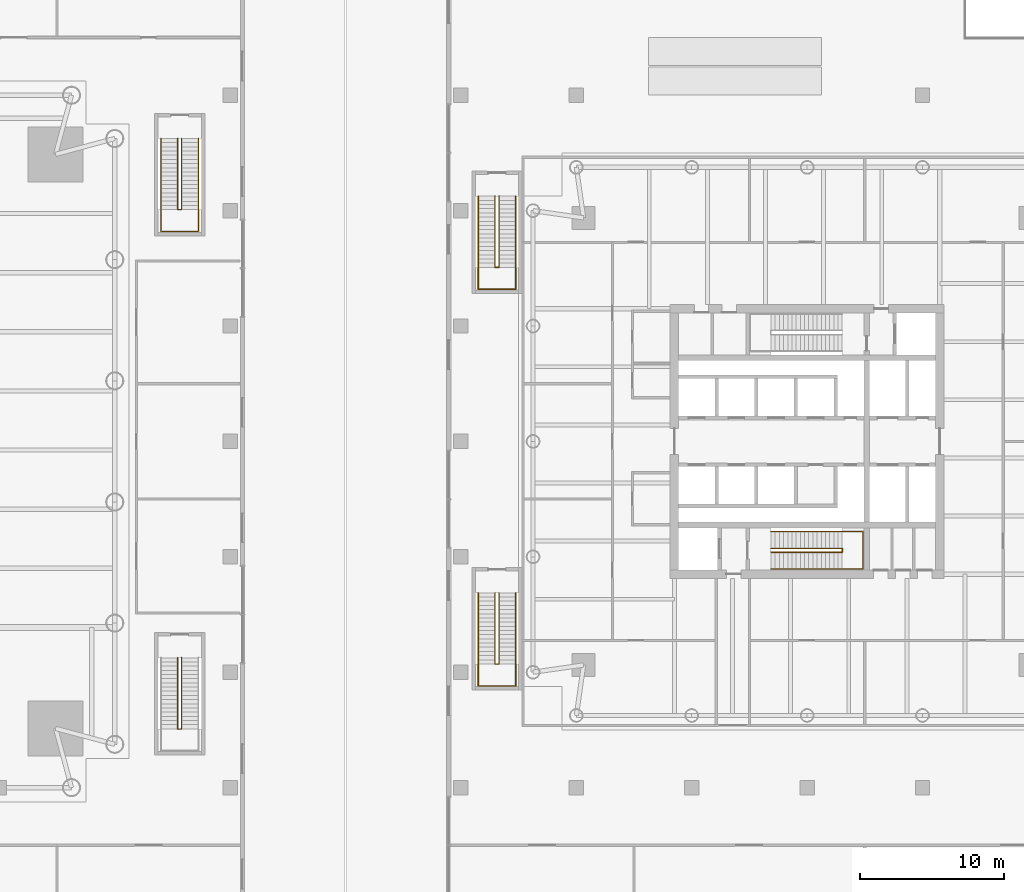
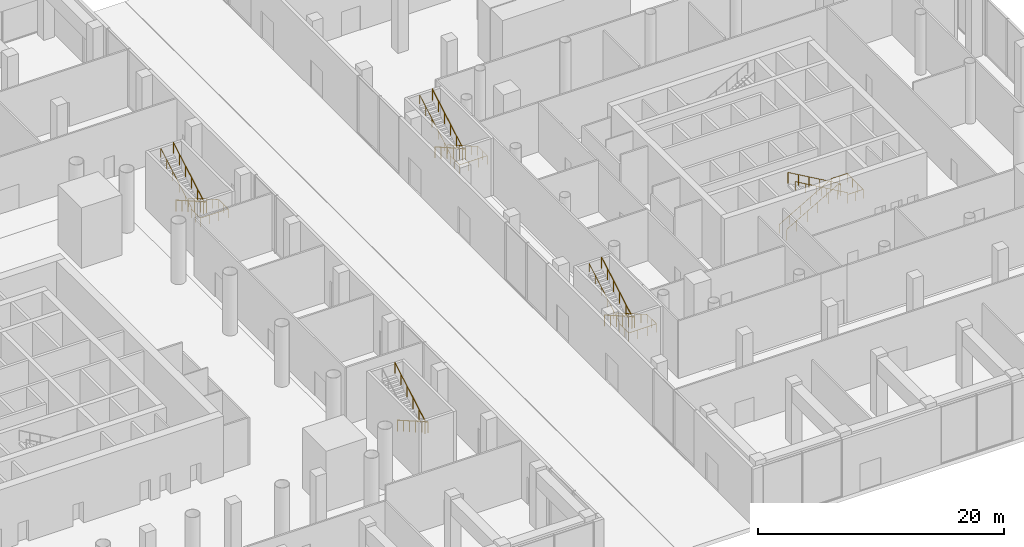
# One storey, part 37 of 39: 9 railings.
"""IFC4 building model written with IfcOpenShell, lengths in metres."""

from ifc_helpers import new_model, si_unit, direction, frame, origin, origin_2d, place, context, subcontext, project, spatial, circle, extrude, material, type_object, element, save


model = new_model("IFC4")

# Units and contexts
model_context = context("Model", 3, precision=1e-05, world=origin(), true_north=direction((0.0, 1.0)))
body_context = subcontext(model_context, "Body", "Model", "MODEL_VIEW")
ifc_project = project(units=[si_unit("LENGTHUNIT", "METRE"), si_unit("AREAUNIT", "SQUARE_METRE"), si_unit("VOLUMEUNIT", "CUBIC_METRE"), si_unit("PLANEANGLEUNIT", "RADIAN"), si_unit("MASSUNIT", "GRAM", prefix="KILO")], contexts=[model_context])

# Site, building, storey
site_placement = place(None, origin())
site = spatial("IfcSite", under=ifc_project, at=site_placement, CompositionType="ELEMENT")
building_placement = place(site_placement, origin())
building = spatial("IfcBuilding", under=site, at=building_placement, Name="Ostroluk Exchange", CompositionType="ELEMENT")
storey_placement = place(building_placement, origin())
storey = spatial("IfcBuildingStorey", under=building, at=storey_placement, Name="L00", CompositionType="ELEMENT", Elevation=0.0)

# Railings
ifc_material_1 = material(Name="Steel S355", Category="steel")
railing_type_1 = type_object("IfcRailingType", Name="Stair guard 1100", PredefinedType="GUARDRAIL", material=ifc_material_1)
railing_1_placement = place(storey_placement, frame((114.5, 38.580078125, 0.166748046875)))
element("IfcRailing", 1, at=railing_1_placement, inside=storey, type_object=railing_type_1, Name="Stair T2-S1 guard L00", PredefinedType="GUARDRAIL", context=body_context, shape_type="SweptSolid", body=[
    extrude(circle(Radius=0.02392578125, at=origin_2d()), frame((0.0, 0.0, 1.076171875), z_axis=(0.867017142139, 0.0, 0.498278311025), x_axis=(0.0, 1.0, 0.0)), (0.0, 0.0, 1.0), 5.68603515625),
    extrude(circle(Radius=0.02392578125, at=origin_2d()), frame((4.929931640625, 0.0, 3.9091796875), z_axis=(0.0, -1.0, 0.0), x_axis=(1.0, 0.0, 0.0)), (0.0, 0.0, 1.0), 0.260009765625),
    extrude(circle(Radius=0.02392578125, at=origin_2d()), frame((4.929931640625, -0.260009765625, 3.9091796875), z_axis=(0.0, 0.0, 1.0), x_axis=(1.0, 0.0, 0.0)), (0.0, 0.0, 1.0), 0.166748046875),
    extrude(circle(Radius=0.02392578125, at=origin_2d()), frame((4.929931640625, -0.260009765625, 4.076171875), z_axis=(-0.867017142139, 0.0, 0.498278311025), x_axis=(0.0, -1.0, 0.0)), (0.0, 0.0, 1.0), 5.68603515625),
    extrude(circle(Radius=0.02099609375, at=origin_2d()), origin(), (0.0, 0.0, 1.0), 1.052001953125),
    extrude(circle(Radius=0.02099609375, at=origin_2d()), frame((0.986083984375, 0.0, 0.566650390625)), (0.0, 0.0, 1.0), 1.052001953125),
    extrude(circle(Radius=0.02099609375, at=origin_2d()), frame((1.971923828125, 0.0, 1.13330078125)), (0.0, 0.0, 1.0), 1.052001953125),
    extrude(circle(Radius=0.02099609375, at=origin_2d()), frame((2.9580078125, 0.0, 1.699951171875)), (0.0, 0.0, 1.0), 1.052001953125),
    extrude(circle(Radius=0.02099609375, at=origin_2d()), frame((3.94384765625, 0.0, 2.2666015625)), (0.0, 0.0, 1.0), 1.052001953125),
    extrude(circle(Radius=0.02099609375, at=origin_2d()), frame((4.929931640625, 0.0, 2.833251953125)), (0.0, 0.0, 1.0), 1.052001953125),
    extrude(circle(Radius=0.02099609375, at=origin_2d()), frame((4.929931640625, -0.260009765625, 2.833251953125)), (0.0, 0.0, 1.0), 1.052001953125),
    extrude(circle(Radius=0.02099609375, at=origin_2d()), frame((4.929931640625, -0.260009765625, 3.0)), (0.0, 0.0, 1.0), 1.052001953125),
    extrude(circle(Radius=0.02099609375, at=origin_2d()), frame((3.94384765625, -0.260009765625, 3.566650390625)), (0.0, 0.0, 1.0), 1.052001953125),
    extrude(circle(Radius=0.02099609375, at=origin_2d()), frame((2.9580078125, -0.260009765625, 4.13330078125)), (0.0, 0.0, 1.0), 1.052001953125),
    extrude(circle(Radius=0.02099609375, at=origin_2d()), frame((1.971923828125, -0.260009765625, 4.699951171875)), (0.0, 0.0, 1.0), 1.052001953125),
    extrude(circle(Radius=0.02099609375, at=origin_2d()), frame((0.986083984375, -0.260009765625, 5.2666015625)), (0.0, 0.0, 1.0), 1.052001953125),
    extrude(circle(Radius=0.02099609375, at=origin_2d()), frame((0.0, -0.260009765625, 5.833251953125)), (0.0, 0.0, 1.0), 1.052001953125),
])
railing_2_placement = place(storey_placement, frame((73.6298828125, 31.0, 0.166748046875)))
element("IfcRailing", 2, at=railing_2_placement, inside=storey, type_object=railing_type_1, Name="Stair PS3 guard L00", PredefinedType="GUARDRAIL", context=body_context, shape_type="SweptSolid", body=[
    extrude(circle(Radius=0.02392578125, at=origin_2d()), frame((0.0, 0.0, 1.076171875), z_axis=(0.0, -0.867017142139, 0.498278311025), x_axis=(1.0, 0.0, 0.0)), (0.0, 0.0, 1.0), 5.68603515625),
    extrude(circle(Radius=0.02392578125, at=origin_2d()), frame((0.0, -4.929931640625, 3.9091796875), z_axis=(-1.0, 0.0, 0.0), x_axis=(0.0, -1.0, 0.0)), (0.0, 0.0, 1.0), 0.259765625),
    extrude(circle(Radius=0.02392578125, at=origin_2d()), frame((-0.259765625, -4.929931640625, 3.9091796875), z_axis=(0.0, 0.0, 1.0), x_axis=(1.0, 0.0, 0.0)), (0.0, 0.0, 1.0), 0.166748046875),
    extrude(circle(Radius=0.02392578125, at=origin_2d()), frame((-0.259765625, -4.929931640625, 4.076171875), z_axis=(0.0, 0.867017142139, 0.498278311025), x_axis=(-1.0, 0.0, 0.0)), (0.0, 0.0, 1.0), 5.68603515625),
    extrude(circle(Radius=0.02099609375, at=origin_2d()), origin(), (0.0, 0.0, 1.0), 1.052001953125),
    extrude(circle(Radius=0.02099609375, at=origin_2d()), frame((0.0, -0.986083984375, 0.566650390625)), (0.0, 0.0, 1.0), 1.052001953125),
    extrude(circle(Radius=0.02099609375, at=origin_2d()), frame((0.0, -1.971923828125, 1.13330078125)), (0.0, 0.0, 1.0), 1.052001953125),
    extrude(circle(Radius=0.02099609375, at=origin_2d()), frame((0.0, -2.9580078125, 1.699951171875)), (0.0, 0.0, 1.0), 1.052001953125),
    extrude(circle(Radius=0.02099609375, at=origin_2d()), frame((0.0, -3.94384765625, 2.2666015625)), (0.0, 0.0, 1.0), 1.052001953125),
    extrude(circle(Radius=0.02099609375, at=origin_2d()), frame((0.0, -4.929931640625, 2.833251953125)), (0.0, 0.0, 1.0), 1.052001953125),
    extrude(circle(Radius=0.02099609375, at=origin_2d()), frame((-0.259765625, -4.929931640625, 2.833251953125)), (0.0, 0.0, 1.0), 1.052001953125),
    extrude(circle(Radius=0.02099609375, at=origin_2d()), frame((-0.259765625, -4.929931640625, 3.0)), (0.0, 0.0, 1.0), 1.052001953125),
    extrude(circle(Radius=0.02099609375, at=origin_2d()), frame((-0.259765625, -3.94384765625, 3.566650390625)), (0.0, 0.0, 1.0), 1.052001953125),
    extrude(circle(Radius=0.02099609375, at=origin_2d()), frame((-0.259765625, -2.9580078125, 4.13330078125)), (0.0, 0.0, 1.0), 1.052001953125),
    extrude(circle(Radius=0.02099609375, at=origin_2d()), frame((-0.259765625, -1.971923828125, 4.699951171875)), (0.0, 0.0, 1.0), 1.052001953125),
    extrude(circle(Radius=0.02099609375, at=origin_2d()), frame((-0.259765625, -0.986083984375, 5.2666015625)), (0.0, 0.0, 1.0), 1.052001953125),
    extrude(circle(Radius=0.02099609375, at=origin_2d()), frame((-0.259765625, 0.0, 5.833251953125)), (0.0, 0.0, 1.0), 1.052001953125),
])
railing_3_placement = place(storey_placement, frame((73.6298828125, 67.0, 0.166748046875)))
element("IfcRailing", 3, at=railing_3_placement, inside=storey, type_object=railing_type_1, Name="Stair PS4 guard L00", PredefinedType="GUARDRAIL", context=body_context, shape_type="SweptSolid", body=[
    extrude(circle(Radius=0.02392578125, at=origin_2d()), frame((0.0, 0.0, 1.076171875), z_axis=(0.0, -0.867017142139, 0.498278311025), x_axis=(1.0, 0.0, 0.0)), (0.0, 0.0, 1.0), 5.68603515625),
    extrude(circle(Radius=0.02392578125, at=origin_2d()), frame((0.0, -4.929931640625, 3.9091796875), z_axis=(-1.0, 0.0, 0.0), x_axis=(0.0, -1.0, 0.0)), (0.0, 0.0, 1.0), 0.259765625),
    extrude(circle(Radius=0.02392578125, at=origin_2d()), frame((-0.259765625, -4.929931640625, 3.9091796875), z_axis=(0.0, 0.0, 1.0), x_axis=(1.0, 0.0, 0.0)), (0.0, 0.0, 1.0), 0.166748046875),
    extrude(circle(Radius=0.02392578125, at=origin_2d()), frame((-0.259765625, -4.929931640625, 4.076171875), z_axis=(0.0, 0.867017142139, 0.498278311025), x_axis=(-1.0, 0.0, 0.0)), (0.0, 0.0, 1.0), 5.68603515625),
    extrude(circle(Radius=0.02099609375, at=origin_2d()), origin(), (0.0, 0.0, 1.0), 1.052001953125),
    extrude(circle(Radius=0.02099609375, at=origin_2d()), frame((0.0, -0.986083984375, 0.566650390625)), (0.0, 0.0, 1.0), 1.052001953125),
    extrude(circle(Radius=0.02099609375, at=origin_2d()), frame((0.0, -1.971923828125, 1.13330078125)), (0.0, 0.0, 1.0), 1.052001953125),
    extrude(circle(Radius=0.02099609375, at=origin_2d()), frame((0.0, -2.9580078125, 1.699951171875)), (0.0, 0.0, 1.0), 1.052001953125),
    extrude(circle(Radius=0.02099609375, at=origin_2d()), frame((0.0, -3.94384765625, 2.2666015625)), (0.0, 0.0, 1.0), 1.052001953125),
    extrude(circle(Radius=0.02099609375, at=origin_2d()), frame((0.0, -4.929931640625, 2.833251953125)), (0.0, 0.0, 1.0), 1.052001953125),
    extrude(circle(Radius=0.02099609375, at=origin_2d()), frame((-0.259765625, -4.929931640625, 2.833251953125)), (0.0, 0.0, 1.0), 1.052001953125),
    extrude(circle(Radius=0.02099609375, at=origin_2d()), frame((-0.259765625, -4.929931640625, 3.0)), (0.0, 0.0, 1.0), 1.052001953125),
    extrude(circle(Radius=0.02099609375, at=origin_2d()), frame((-0.259765625, -3.94384765625, 3.566650390625)), (0.0, 0.0, 1.0), 1.052001953125),
    extrude(circle(Radius=0.02099609375, at=origin_2d()), frame((-0.259765625, -2.9580078125, 4.13330078125)), (0.0, 0.0, 1.0), 1.052001953125),
    extrude(circle(Radius=0.02099609375, at=origin_2d()), frame((-0.259765625, -1.971923828125, 4.699951171875)), (0.0, 0.0, 1.0), 1.052001953125),
    extrude(circle(Radius=0.02099609375, at=origin_2d()), frame((-0.259765625, -0.986083984375, 5.2666015625)), (0.0, 0.0, 1.0), 1.052001953125),
    extrude(circle(Radius=0.02099609375, at=origin_2d()), frame((-0.259765625, 0.0, 5.833251953125)), (0.0, 0.0, 1.0), 1.052001953125),
])
railing_4_placement = place(storey_placement, frame((95.6298828125, 35.5, 0.166748046875)))
element("IfcRailing", 4, at=railing_4_placement, inside=storey, type_object=railing_type_1, Name="Stair PS5 guard L00", PredefinedType="GUARDRAIL", context=body_context, shape_type="SweptSolid", body=[
    extrude(circle(Radius=0.02392578125, at=origin_2d()), frame((0.0, 0.0, 1.076171875), z_axis=(0.0, -0.867017142139, 0.498278311025), x_axis=(1.0, 0.0, 0.0)), (0.0, 0.0, 1.0), 5.68603515625),
    extrude(circle(Radius=0.02392578125, at=origin_2d()), frame((0.0, -4.929931640625, 3.9091796875), z_axis=(-1.0, 0.0, 0.0), x_axis=(0.0, -1.0, 0.0)), (0.0, 0.0, 1.0), 0.259765625),
    extrude(circle(Radius=0.02392578125, at=origin_2d()), frame((-0.259765625, -4.929931640625, 3.9091796875), z_axis=(0.0, 0.0, 1.0), x_axis=(1.0, 0.0, 0.0)), (0.0, 0.0, 1.0), 0.166748046875),
    extrude(circle(Radius=0.02392578125, at=origin_2d()), frame((-0.259765625, -4.929931640625, 4.076171875), z_axis=(0.0, 0.867017142139, 0.498278311025), x_axis=(-1.0, 0.0, 0.0)), (0.0, 0.0, 1.0), 5.68603515625),
    extrude(circle(Radius=0.02099609375, at=origin_2d()), origin(), (0.0, 0.0, 1.0), 1.052001953125),
    extrude(circle(Radius=0.02099609375, at=origin_2d()), frame((0.0, -0.986083984375, 0.566650390625)), (0.0, 0.0, 1.0), 1.052001953125),
    extrude(circle(Radius=0.02099609375, at=origin_2d()), frame((0.0, -1.971923828125, 1.13330078125)), (0.0, 0.0, 1.0), 1.052001953125),
    extrude(circle(Radius=0.02099609375, at=origin_2d()), frame((0.0, -2.9580078125, 1.699951171875)), (0.0, 0.0, 1.0), 1.052001953125),
    extrude(circle(Radius=0.02099609375, at=origin_2d()), frame((0.0, -3.94384765625, 2.2666015625)), (0.0, 0.0, 1.0), 1.052001953125),
    extrude(circle(Radius=0.02099609375, at=origin_2d()), frame((0.0, -4.929931640625, 2.833251953125)), (0.0, 0.0, 1.0), 1.052001953125),
    extrude(circle(Radius=0.02099609375, at=origin_2d()), frame((-0.259765625, -4.929931640625, 2.833251953125)), (0.0, 0.0, 1.0), 1.052001953125),
    extrude(circle(Radius=0.02099609375, at=origin_2d()), frame((-0.259765625, -4.929931640625, 3.0)), (0.0, 0.0, 1.0), 1.052001953125),
    extrude(circle(Radius=0.02099609375, at=origin_2d()), frame((-0.259765625, -3.94384765625, 3.566650390625)), (0.0, 0.0, 1.0), 1.052001953125),
    extrude(circle(Radius=0.02099609375, at=origin_2d()), frame((-0.259765625, -2.9580078125, 4.13330078125)), (0.0, 0.0, 1.0), 1.052001953125),
    extrude(circle(Radius=0.02099609375, at=origin_2d()), frame((-0.259765625, -1.971923828125, 4.699951171875)), (0.0, 0.0, 1.0), 1.052001953125),
    extrude(circle(Radius=0.02099609375, at=origin_2d()), frame((-0.259765625, -0.986083984375, 5.2666015625)), (0.0, 0.0, 1.0), 1.052001953125),
    extrude(circle(Radius=0.02099609375, at=origin_2d()), frame((-0.259765625, 0.0, 5.833251953125)), (0.0, 0.0, 1.0), 1.052001953125),
])
railing_5_placement = place(storey_placement, frame((95.6298828125, 63.0, 0.166748046875)))
element("IfcRailing", 5, at=railing_5_placement, inside=storey, type_object=railing_type_1, Name="Stair PS6 guard L00", PredefinedType="GUARDRAIL", context=body_context, shape_type="SweptSolid", body=[
    extrude(circle(Radius=0.02392578125, at=origin_2d()), frame((0.0, 0.0, 1.076171875), z_axis=(0.0, -0.867017142139, 0.498278311025), x_axis=(1.0, 0.0, 0.0)), (0.0, 0.0, 1.0), 5.68603515625),
    extrude(circle(Radius=0.02392578125, at=origin_2d()), frame((0.0, -4.929931640625, 3.9091796875), z_axis=(-1.0, 0.0, 0.0), x_axis=(0.0, -1.0, 0.0)), (0.0, 0.0, 1.0), 0.259765625),
    extrude(circle(Radius=0.02392578125, at=origin_2d()), frame((-0.259765625, -4.929931640625, 3.9091796875), z_axis=(0.0, 0.0, 1.0), x_axis=(1.0, 0.0, 0.0)), (0.0, 0.0, 1.0), 0.166748046875),
    extrude(circle(Radius=0.02392578125, at=origin_2d()), frame((-0.259765625, -4.929931640625, 4.076171875), z_axis=(0.0, 0.867017142139, 0.498278311025), x_axis=(-1.0, 0.0, 0.0)), (0.0, 0.0, 1.0), 5.68603515625),
    extrude(circle(Radius=0.02099609375, at=origin_2d()), origin(), (0.0, 0.0, 1.0), 1.052001953125),
    extrude(circle(Radius=0.02099609375, at=origin_2d()), frame((0.0, -0.986083984375, 0.566650390625)), (0.0, 0.0, 1.0), 1.052001953125),
    extrude(circle(Radius=0.02099609375, at=origin_2d()), frame((0.0, -1.971923828125, 1.13330078125)), (0.0, 0.0, 1.0), 1.052001953125),
    extrude(circle(Radius=0.02099609375, at=origin_2d()), frame((0.0, -2.9580078125, 1.699951171875)), (0.0, 0.0, 1.0), 1.052001953125),
    extrude(circle(Radius=0.02099609375, at=origin_2d()), frame((0.0, -3.94384765625, 2.2666015625)), (0.0, 0.0, 1.0), 1.052001953125),
    extrude(circle(Radius=0.02099609375, at=origin_2d()), frame((0.0, -4.929931640625, 2.833251953125)), (0.0, 0.0, 1.0), 1.052001953125),
    extrude(circle(Radius=0.02099609375, at=origin_2d()), frame((-0.259765625, -4.929931640625, 2.833251953125)), (0.0, 0.0, 1.0), 1.052001953125),
    extrude(circle(Radius=0.02099609375, at=origin_2d()), frame((-0.259765625, -4.929931640625, 3.0)), (0.0, 0.0, 1.0), 1.052001953125),
    extrude(circle(Radius=0.02099609375, at=origin_2d()), frame((-0.259765625, -3.94384765625, 3.566650390625)), (0.0, 0.0, 1.0), 1.052001953125),
    extrude(circle(Radius=0.02099609375, at=origin_2d()), frame((-0.259765625, -2.9580078125, 4.13330078125)), (0.0, 0.0, 1.0), 1.052001953125),
    extrude(circle(Radius=0.02099609375, at=origin_2d()), frame((-0.259765625, -1.971923828125, 4.699951171875)), (0.0, 0.0, 1.0), 1.052001953125),
    extrude(circle(Radius=0.02099609375, at=origin_2d()), frame((-0.259765625, -0.986083984375, 5.2666015625)), (0.0, 0.0, 1.0), 1.052001953125),
    extrude(circle(Radius=0.02099609375, at=origin_2d()), frame((-0.259765625, 0.0, 5.833251953125)), (0.0, 0.0, 1.0), 1.052001953125),
])
ifc_material_2 = material(Name="Stainless steel", Category="steel")
railing_type_2 = type_object("IfcRailingType", Name="Stair handrail 900", PredefinedType="HANDRAIL", material=ifc_material_2)
railing_6_placement = place(storey_placement, frame((114.5, 39.75, 0.166748046875)))
element("IfcRailing", 6, at=railing_6_placement, inside=storey, type_object=railing_type_2, Name="Stair T2-S1 handrail L00", PredefinedType="HANDRAIL", context=body_context, shape_type="SweptSolid", body=[
    extrude(circle(Radius=0.02392578125, at=origin_2d()), frame((0.0, 0.0, 0.8759765625), z_axis=(0.867017142139, 0.0, 0.498278311025), x_axis=(0.0, 1.0, 0.0)), (0.0, 0.0, 1.0), 5.68603515625),
    extrude(circle(Radius=0.02392578125, at=origin_2d()), frame((4.929931640625, 0.0, 3.708984375), z_axis=(1.0, 0.0, 0.0), x_axis=(0.0, 1.0, 0.0)), (0.0, 0.0, 1.0), 1.449951171875),
    extrude(circle(Radius=0.02392578125, at=origin_2d()), frame((6.3798828125, 0.0, 3.708984375), z_axis=(0.0, -1.0, 0.0), x_axis=(1.0, 0.0, 0.0)), (0.0, 0.0, 1.0), 2.60009765625),
    extrude(circle(Radius=0.02392578125, at=origin_2d()), frame((6.3798828125, -2.60009765625, 3.708984375), z_axis=(-1.0, 0.0, 0.0), x_axis=(0.0, -1.0, 0.0)), (0.0, 0.0, 1.0), 1.449951171875),
    extrude(circle(Radius=0.02392578125, at=origin_2d()), frame((4.929931640625, -2.60009765625, 3.708984375), z_axis=(0.0, 0.0, 1.0), x_axis=(1.0, 0.0, 0.0)), (0.0, 0.0, 1.0), 0.166748046875),
    extrude(circle(Radius=0.02392578125, at=origin_2d()), frame((4.929931640625, -2.60009765625, 3.8759765625), z_axis=(-0.867017142139, 0.0, 0.498278311025), x_axis=(0.0, -1.0, 0.0)), (0.0, 0.0, 1.0), 5.68603515625),
    extrude(circle(Radius=0.02099609375, at=origin_2d()), origin(), (0.0, 0.0, 1.0), 0.851806640625),
    extrude(circle(Radius=0.02099609375, at=origin_2d()), frame((0.986083984375, 0.0, 0.566650390625)), (0.0, 0.0, 1.0), 0.851806640625),
    extrude(circle(Radius=0.02099609375, at=origin_2d()), frame((1.971923828125, 0.0, 1.13330078125)), (0.0, 0.0, 1.0), 0.851806640625),
    extrude(circle(Radius=0.02099609375, at=origin_2d()), frame((2.9580078125, 0.0, 1.699951171875)), (0.0, 0.0, 1.0), 0.851806640625),
    extrude(circle(Radius=0.02099609375, at=origin_2d()), frame((3.94384765625, 0.0, 2.2666015625)), (0.0, 0.0, 1.0), 0.851806640625),
    extrude(circle(Radius=0.02099609375, at=origin_2d()), frame((4.929931640625, 0.0, 2.833251953125)), (0.0, 0.0, 1.0), 0.851806640625),
    extrude(circle(Radius=0.02099609375, at=origin_2d()), frame((5.65478515625, 0.0, 2.833251953125)), (0.0, 0.0, 1.0), 0.851806640625),
    extrude(circle(Radius=0.02099609375, at=origin_2d()), frame((6.3798828125, 0.0, 2.833251953125)), (0.0, 0.0, 1.0), 0.851806640625),
    extrude(circle(Radius=0.02099609375, at=origin_2d()), frame((6.3798828125, -0.86669921875, 2.833251953125)), (0.0, 0.0, 1.0), 0.851806640625),
    extrude(circle(Radius=0.02099609375, at=origin_2d()), frame((6.3798828125, -1.7333984375, 2.833251953125)), (0.0, 0.0, 1.0), 0.851806640625),
    extrude(circle(Radius=0.02099609375, at=origin_2d()), frame((6.3798828125, -2.60009765625, 2.833251953125)), (0.0, 0.0, 1.0), 0.851806640625),
    extrude(circle(Radius=0.02099609375, at=origin_2d()), frame((5.65478515625, -2.60009765625, 2.833251953125)), (0.0, 0.0, 1.0), 0.851806640625),
    extrude(circle(Radius=0.02099609375, at=origin_2d()), frame((4.929931640625, -2.60009765625, 2.833251953125)), (0.0, 0.0, 1.0), 0.851806640625),
    extrude(circle(Radius=0.02099609375, at=origin_2d()), frame((4.929931640625, -2.60009765625, 3.0)), (0.0, 0.0, 1.0), 0.851806640625),
    extrude(circle(Radius=0.02099609375, at=origin_2d()), frame((3.94384765625, -2.60009765625, 3.566650390625)), (0.0, 0.0, 1.0), 0.851806640625),
    extrude(circle(Radius=0.02099609375, at=origin_2d()), frame((2.9580078125, -2.60009765625, 4.13330078125)), (0.0, 0.0, 1.0), 0.851806640625),
    extrude(circle(Radius=0.02099609375, at=origin_2d()), frame((1.971923828125, -2.60009765625, 4.699951171875)), (0.0, 0.0, 1.0), 0.851806640625),
    extrude(circle(Radius=0.02099609375, at=origin_2d()), frame((0.986083984375, -2.60009765625, 5.2666015625)), (0.0, 0.0, 1.0), 0.851806640625),
    extrude(circle(Radius=0.02099609375, at=origin_2d()), frame((0.0, -2.60009765625, 5.833251953125)), (0.0, 0.0, 1.0), 0.851806640625),
])
railing_7_placement = place(storey_placement, frame((74.800048828125, 67.0, 0.166748046875)))
element("IfcRailing", 7, at=railing_7_placement, inside=storey, type_object=railing_type_2, Name="Stair PS4 handrail L00", PredefinedType="HANDRAIL", context=body_context, shape_type="SweptSolid", body=[
    extrude(circle(Radius=0.02392578125, at=origin_2d()), frame((0.0, 0.0, 0.8759765625), z_axis=(0.0, -0.867017142139, 0.498278311025), x_axis=(1.0, 0.0, 0.0)), (0.0, 0.0, 1.0), 5.68603515625),
    extrude(circle(Radius=0.02392578125, at=origin_2d()), frame((0.0, -4.929931640625, 3.708984375), z_axis=(0.0, -1.0, 0.0), x_axis=(1.0, 0.0, 0.0)), (0.0, 0.0, 1.0), 1.52001953125),
    extrude(circle(Radius=0.02392578125, at=origin_2d()), frame((0.0, -6.449951171875, 3.708984375), z_axis=(-1.0, 0.0, 0.0), x_axis=(0.0, -1.0, 0.0)), (0.0, 0.0, 1.0), 2.60009765625),
    extrude(circle(Radius=0.02392578125, at=origin_2d()), frame((-2.60009765625, -6.449951171875, 3.708984375), z_axis=(0.0, 1.0, 0.0), x_axis=(-1.0, 0.0, 0.0)), (0.0, 0.0, 1.0), 1.52001953125),
    extrude(circle(Radius=0.02392578125, at=origin_2d()), frame((-2.60009765625, -4.929931640625, 3.708984375), z_axis=(0.0, 0.0, 1.0), x_axis=(1.0, 0.0, 0.0)), (0.0, 0.0, 1.0), 0.166748046875),
    extrude(circle(Radius=0.02392578125, at=origin_2d()), frame((-2.60009765625, -4.929931640625, 3.8759765625), z_axis=(0.0, 0.867017142139, 0.498278311025), x_axis=(-1.0, 0.0, 0.0)), (0.0, 0.0, 1.0), 5.68603515625),
    extrude(circle(Radius=0.02099609375, at=origin_2d()), origin(), (0.0, 0.0, 1.0), 0.851806640625),
    extrude(circle(Radius=0.02099609375, at=origin_2d()), frame((0.0, -0.986083984375, 0.566650390625)), (0.0, 0.0, 1.0), 0.851806640625),
    extrude(circle(Radius=0.02099609375, at=origin_2d()), frame((0.0, -1.971923828125, 1.13330078125)), (0.0, 0.0, 1.0), 0.851806640625),
    extrude(circle(Radius=0.02099609375, at=origin_2d()), frame((0.0, -2.9580078125, 1.699951171875)), (0.0, 0.0, 1.0), 0.851806640625),
    extrude(circle(Radius=0.02099609375, at=origin_2d()), frame((0.0, -3.94384765625, 2.2666015625)), (0.0, 0.0, 1.0), 0.851806640625),
    extrude(circle(Radius=0.02099609375, at=origin_2d()), frame((0.0, -4.929931640625, 2.833251953125)), (0.0, 0.0, 1.0), 0.851806640625),
    extrude(circle(Radius=0.02099609375, at=origin_2d()), frame((0.0, -5.68994140625, 2.833251953125)), (0.0, 0.0, 1.0), 0.851806640625),
    extrude(circle(Radius=0.02099609375, at=origin_2d()), frame((0.0, -6.449951171875, 2.833251953125)), (0.0, 0.0, 1.0), 0.851806640625),
    extrude(circle(Radius=0.02099609375, at=origin_2d()), frame((-0.86669921875, -6.449951171875, 2.833251953125)), (0.0, 0.0, 1.0), 0.851806640625),
    extrude(circle(Radius=0.02099609375, at=origin_2d()), frame((-1.7333984375, -6.449951171875, 2.833251953125)), (0.0, 0.0, 1.0), 0.851806640625),
    extrude(circle(Radius=0.02099609375, at=origin_2d()), frame((-2.60009765625, -6.449951171875, 2.833251953125)), (0.0, 0.0, 1.0), 0.851806640625),
    extrude(circle(Radius=0.02099609375, at=origin_2d()), frame((-2.60009765625, -5.68994140625, 2.833251953125)), (0.0, 0.0, 1.0), 0.851806640625),
    extrude(circle(Radius=0.02099609375, at=origin_2d()), frame((-2.60009765625, -4.929931640625, 2.833251953125)), (0.0, 0.0, 1.0), 0.851806640625),
    extrude(circle(Radius=0.02099609375, at=origin_2d()), frame((-2.60009765625, -4.929931640625, 3.0)), (0.0, 0.0, 1.0), 0.851806640625),
    extrude(circle(Radius=0.02099609375, at=origin_2d()), frame((-2.60009765625, -3.94384765625, 3.566650390625)), (0.0, 0.0, 1.0), 0.851806640625),
    extrude(circle(Radius=0.02099609375, at=origin_2d()), frame((-2.60009765625, -2.9580078125, 4.13330078125)), (0.0, 0.0, 1.0), 0.851806640625),
    extrude(circle(Radius=0.02099609375, at=origin_2d()), frame((-2.60009765625, -1.971923828125, 4.699951171875)), (0.0, 0.0, 1.0), 0.851806640625),
    extrude(circle(Radius=0.02099609375, at=origin_2d()), frame((-2.60009765625, -0.986083984375, 5.2666015625)), (0.0, 0.0, 1.0), 0.851806640625),
    extrude(circle(Radius=0.02099609375, at=origin_2d()), frame((-2.60009765625, 0.0, 5.833251953125)), (0.0, 0.0, 1.0), 0.851806640625),
])
railing_8_placement = place(storey_placement, frame((96.800048828125, 35.5, 0.166748046875)))
element("IfcRailing", 8, at=railing_8_placement, inside=storey, type_object=railing_type_2, Name="Stair PS5 handrail L00", PredefinedType="HANDRAIL", context=body_context, shape_type="SweptSolid", body=[
    extrude(circle(Radius=0.02392578125, at=origin_2d()), frame((0.0, 0.0, 0.8759765625), z_axis=(0.0, -0.867017142139, 0.498278311025), x_axis=(1.0, 0.0, 0.0)), (0.0, 0.0, 1.0), 5.68603515625),
    extrude(circle(Radius=0.02392578125, at=origin_2d()), frame((0.0, -4.929931640625, 3.708984375), z_axis=(0.0, -1.0, 0.0), x_axis=(1.0, 0.0, 0.0)), (0.0, 0.0, 1.0), 1.52001953125),
    extrude(circle(Radius=0.02392578125, at=origin_2d()), frame((0.0, -6.449951171875, 3.708984375), z_axis=(-1.0, 0.0, 0.0), x_axis=(0.0, -1.0, 0.0)), (0.0, 0.0, 1.0), 2.60009765625),
    extrude(circle(Radius=0.02392578125, at=origin_2d()), frame((-2.60009765625, -6.449951171875, 3.708984375), z_axis=(0.0, 1.0, 0.0), x_axis=(-1.0, 0.0, 0.0)), (0.0, 0.0, 1.0), 1.52001953125),
    extrude(circle(Radius=0.02392578125, at=origin_2d()), frame((-2.60009765625, -4.929931640625, 3.708984375), z_axis=(0.0, 0.0, 1.0), x_axis=(1.0, 0.0, 0.0)), (0.0, 0.0, 1.0), 0.166748046875),
    extrude(circle(Radius=0.02392578125, at=origin_2d()), frame((-2.60009765625, -4.929931640625, 3.8759765625), z_axis=(0.0, 0.867017142139, 0.498278311025), x_axis=(-1.0, 0.0, 0.0)), (0.0, 0.0, 1.0), 5.68603515625),
    extrude(circle(Radius=0.02099609375, at=origin_2d()), origin(), (0.0, 0.0, 1.0), 0.851806640625),
    extrude(circle(Radius=0.02099609375, at=origin_2d()), frame((0.0, -0.986083984375, 0.566650390625)), (0.0, 0.0, 1.0), 0.851806640625),
    extrude(circle(Radius=0.02099609375, at=origin_2d()), frame((0.0, -1.971923828125, 1.13330078125)), (0.0, 0.0, 1.0), 0.851806640625),
    extrude(circle(Radius=0.02099609375, at=origin_2d()), frame((0.0, -2.9580078125, 1.699951171875)), (0.0, 0.0, 1.0), 0.851806640625),
    extrude(circle(Radius=0.02099609375, at=origin_2d()), frame((0.0, -3.94384765625, 2.2666015625)), (0.0, 0.0, 1.0), 0.851806640625),
    extrude(circle(Radius=0.02099609375, at=origin_2d()), frame((0.0, -4.929931640625, 2.833251953125)), (0.0, 0.0, 1.0), 0.851806640625),
    extrude(circle(Radius=0.02099609375, at=origin_2d()), frame((0.0, -5.68994140625, 2.833251953125)), (0.0, 0.0, 1.0), 0.851806640625),
    extrude(circle(Radius=0.02099609375, at=origin_2d()), frame((0.0, -6.449951171875, 2.833251953125)), (0.0, 0.0, 1.0), 0.851806640625),
    extrude(circle(Radius=0.02099609375, at=origin_2d()), frame((-0.86669921875, -6.449951171875, 2.833251953125)), (0.0, 0.0, 1.0), 0.851806640625),
    extrude(circle(Radius=0.02099609375, at=origin_2d()), frame((-1.7333984375, -6.449951171875, 2.833251953125)), (0.0, 0.0, 1.0), 0.851806640625),
    extrude(circle(Radius=0.02099609375, at=origin_2d()), frame((-2.60009765625, -6.449951171875, 2.833251953125)), (0.0, 0.0, 1.0), 0.851806640625),
    extrude(circle(Radius=0.02099609375, at=origin_2d()), frame((-2.60009765625, -5.68994140625, 2.833251953125)), (0.0, 0.0, 1.0), 0.851806640625),
    extrude(circle(Radius=0.02099609375, at=origin_2d()), frame((-2.60009765625, -4.929931640625, 2.833251953125)), (0.0, 0.0, 1.0), 0.851806640625),
    extrude(circle(Radius=0.02099609375, at=origin_2d()), frame((-2.60009765625, -4.929931640625, 3.0)), (0.0, 0.0, 1.0), 0.851806640625),
    extrude(circle(Radius=0.02099609375, at=origin_2d()), frame((-2.60009765625, -3.94384765625, 3.566650390625)), (0.0, 0.0, 1.0), 0.851806640625),
    extrude(circle(Radius=0.02099609375, at=origin_2d()), frame((-2.60009765625, -2.9580078125, 4.13330078125)), (0.0, 0.0, 1.0), 0.851806640625),
    extrude(circle(Radius=0.02099609375, at=origin_2d()), frame((-2.60009765625, -1.971923828125, 4.699951171875)), (0.0, 0.0, 1.0), 0.851806640625),
    extrude(circle(Radius=0.02099609375, at=origin_2d()), frame((-2.60009765625, -0.986083984375, 5.2666015625)), (0.0, 0.0, 1.0), 0.851806640625),
    extrude(circle(Radius=0.02099609375, at=origin_2d()), frame((-2.60009765625, 0.0, 5.833251953125)), (0.0, 0.0, 1.0), 0.851806640625),
])
railing_9_placement = place(storey_placement, frame((96.800048828125, 63.0, 0.166748046875)))
element("IfcRailing", 9, at=railing_9_placement, inside=storey, type_object=railing_type_2, Name="Stair PS6 handrail L00", PredefinedType="HANDRAIL", context=body_context, shape_type="SweptSolid", body=[
    extrude(circle(Radius=0.02392578125, at=origin_2d()), frame((0.0, 0.0, 0.8759765625), z_axis=(0.0, -0.867017142139, 0.498278311025), x_axis=(1.0, 0.0, 0.0)), (0.0, 0.0, 1.0), 5.68603515625),
    extrude(circle(Radius=0.02392578125, at=origin_2d()), frame((0.0, -4.929931640625, 3.708984375), z_axis=(0.0, -1.0, 0.0), x_axis=(1.0, 0.0, 0.0)), (0.0, 0.0, 1.0), 1.52001953125),
    extrude(circle(Radius=0.02392578125, at=origin_2d()), frame((0.0, -6.449951171875, 3.708984375), z_axis=(-1.0, 0.0, 0.0), x_axis=(0.0, -1.0, 0.0)), (0.0, 0.0, 1.0), 2.60009765625),
    extrude(circle(Radius=0.02392578125, at=origin_2d()), frame((-2.60009765625, -6.449951171875, 3.708984375), z_axis=(0.0, 1.0, 0.0), x_axis=(-1.0, 0.0, 0.0)), (0.0, 0.0, 1.0), 1.52001953125),
    extrude(circle(Radius=0.02392578125, at=origin_2d()), frame((-2.60009765625, -4.929931640625, 3.708984375), z_axis=(0.0, 0.0, 1.0), x_axis=(1.0, 0.0, 0.0)), (0.0, 0.0, 1.0), 0.166748046875),
    extrude(circle(Radius=0.02392578125, at=origin_2d()), frame((-2.60009765625, -4.929931640625, 3.8759765625), z_axis=(0.0, 0.867017142139, 0.498278311025), x_axis=(-1.0, 0.0, 0.0)), (0.0, 0.0, 1.0), 5.68603515625),
    extrude(circle(Radius=0.02099609375, at=origin_2d()), origin(), (0.0, 0.0, 1.0), 0.851806640625),
    extrude(circle(Radius=0.02099609375, at=origin_2d()), frame((0.0, -0.986083984375, 0.566650390625)), (0.0, 0.0, 1.0), 0.851806640625),
    extrude(circle(Radius=0.02099609375, at=origin_2d()), frame((0.0, -1.971923828125, 1.13330078125)), (0.0, 0.0, 1.0), 0.851806640625),
    extrude(circle(Radius=0.02099609375, at=origin_2d()), frame((0.0, -2.9580078125, 1.699951171875)), (0.0, 0.0, 1.0), 0.851806640625),
    extrude(circle(Radius=0.02099609375, at=origin_2d()), frame((0.0, -3.94384765625, 2.2666015625)), (0.0, 0.0, 1.0), 0.851806640625),
    extrude(circle(Radius=0.02099609375, at=origin_2d()), frame((0.0, -4.929931640625, 2.833251953125)), (0.0, 0.0, 1.0), 0.851806640625),
    extrude(circle(Radius=0.02099609375, at=origin_2d()), frame((0.0, -5.68994140625, 2.833251953125)), (0.0, 0.0, 1.0), 0.851806640625),
    extrude(circle(Radius=0.02099609375, at=origin_2d()), frame((0.0, -6.449951171875, 2.833251953125)), (0.0, 0.0, 1.0), 0.851806640625),
    extrude(circle(Radius=0.02099609375, at=origin_2d()), frame((-0.86669921875, -6.449951171875, 2.833251953125)), (0.0, 0.0, 1.0), 0.851806640625),
    extrude(circle(Radius=0.02099609375, at=origin_2d()), frame((-1.7333984375, -6.449951171875, 2.833251953125)), (0.0, 0.0, 1.0), 0.851806640625),
    extrude(circle(Radius=0.02099609375, at=origin_2d()), frame((-2.60009765625, -6.449951171875, 2.833251953125)), (0.0, 0.0, 1.0), 0.851806640625),
    extrude(circle(Radius=0.02099609375, at=origin_2d()), frame((-2.60009765625, -5.68994140625, 2.833251953125)), (0.0, 0.0, 1.0), 0.851806640625),
    extrude(circle(Radius=0.02099609375, at=origin_2d()), frame((-2.60009765625, -4.929931640625, 2.833251953125)), (0.0, 0.0, 1.0), 0.851806640625),
    extrude(circle(Radius=0.02099609375, at=origin_2d()), frame((-2.60009765625, -4.929931640625, 3.0)), (0.0, 0.0, 1.0), 0.851806640625),
    extrude(circle(Radius=0.02099609375, at=origin_2d()), frame((-2.60009765625, -3.94384765625, 3.566650390625)), (0.0, 0.0, 1.0), 0.851806640625),
    extrude(circle(Radius=0.02099609375, at=origin_2d()), frame((-2.60009765625, -2.9580078125, 4.13330078125)), (0.0, 0.0, 1.0), 0.851806640625),
    extrude(circle(Radius=0.02099609375, at=origin_2d()), frame((-2.60009765625, -1.971923828125, 4.699951171875)), (0.0, 0.0, 1.0), 0.851806640625),
    extrude(circle(Radius=0.02099609375, at=origin_2d()), frame((-2.60009765625, -0.986083984375, 5.2666015625)), (0.0, 0.0, 1.0), 0.851806640625),
    extrude(circle(Radius=0.02099609375, at=origin_2d()), frame((-2.60009765625, 0.0, 5.833251953125)), (0.0, 0.0, 1.0), 0.851806640625),
])

save(model, "model.ifc")
